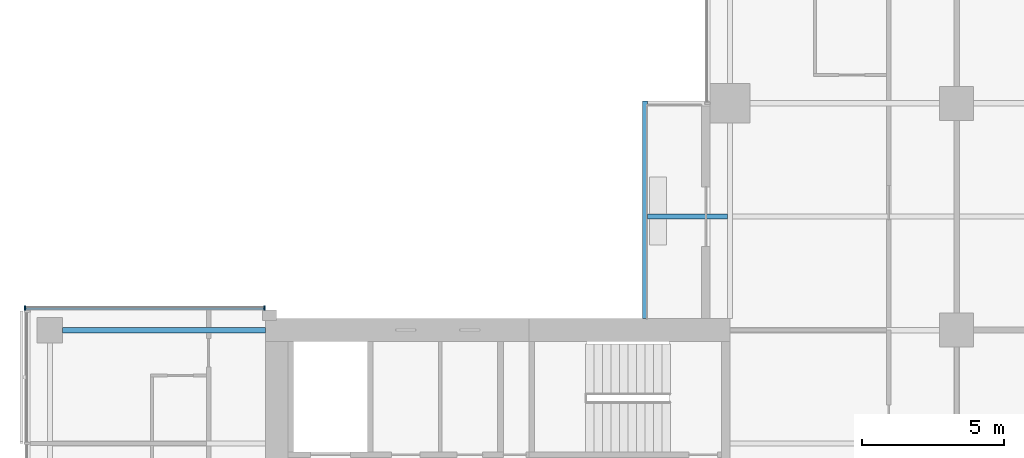
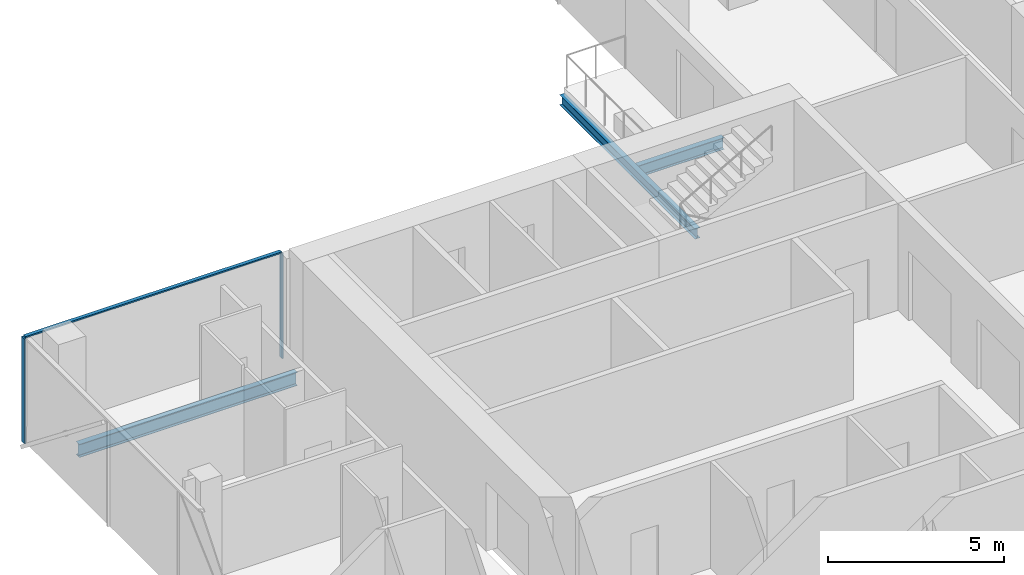
# One storey, part 8 of 27: 3 beams, 3 members, 1 element without a shape of its own.
"""IFC4 building model written with IfcOpenShell, lengths in metres."""

from ifc_helpers import new_model, si_unit, direction, frame, origin, origin_2d, place, context, subcontext, project, spatial, rectangle, i_section, extrude, material, material_profile, profile_set, type_object, element, aggregate, save


model = new_model("IFC4")

# Units and contexts
model_context = context("Model", 3, precision=1e-05, world=origin(), true_north=direction((0.0, 1.0)))
body_context = subcontext(model_context, "Body", "Model", "MODEL_VIEW")
ifc_project = project(units=[si_unit("LENGTHUNIT", "METRE"), si_unit("AREAUNIT", "SQUARE_METRE"), si_unit("VOLUMEUNIT", "CUBIC_METRE"), si_unit("PLANEANGLEUNIT", "RADIAN"), si_unit("MASSUNIT", "GRAM", prefix="KILO")], contexts=[model_context])

# Site, building, storey
site_placement = place(None, origin())
site = spatial("IfcSite", under=ifc_project, at=site_placement, CompositionType="ELEMENT")
building_placement = place(site_placement, origin())
building = spatial("IfcBuilding", under=site, at=building_placement, Name="Crosswind Convention Tower", CompositionType="ELEMENT")
storey_placement = place(building_placement, frame((0.0, 0.0, 72.0)))
storey = spatial("IfcBuildingStorey", under=building, at=storey_placement, Name="L12", CompositionType="ELEMENT", Elevation=72.0)

# Beams
ifc_material_1 = material(Name="Steel S355", Category="steel")
ifc_material_profile_1 = material_profile(ifc_material_1, i_section(OverallWidth=0.177734375, OverallDepth=0.406494140625, WebThickness=0.0078125, FlangeThickness=0.0126953125, FilletRadius=0.01025390625, at=origin_2d()), Name="UB 406x178x60")
ifc_profile_set_1 = profile_set([ifc_material_profile_1], Name="Steel S355")
beam_type_1 = type_object("IfcBeamType", Name="Balcony cantilever UB 406x178x60", PredefinedType="BEAM", material=ifc_profile_set_1)
beam_1_placement = place(storey_placement, frame((112.90478515625, 116.0, -0.483154296875), z_axis=(-1.0, 0.0, 0.0), x_axis=(0.0, -1.0, 0.0)))
element("IfcBeam", 1, at=beam_1_placement, inside=storey, type_object=beam_type_1, Name="B35 L12 balcony cantilever NW 4", PredefinedType="BEAM", context=body_context, shape_type="SweptSolid", body=[
    extrude(i_section(OverallWidth=0.177734375, OverallDepth=0.406494140625, WebThickness=0.0078125, FlangeThickness=0.0126953125, FilletRadius=0.01025390625, at=origin_2d()), origin(), (0.0, 0.0, 1.0), 2.8193359375),
])
ifc_material_profile_2 = material_profile(ifc_material_1, i_section(OverallWidth=0.1708984375, OverallDepth=0.35205078125, WebThickness=0.0068359375, FlangeThickness=0.009765625, FilletRadius=0.01025390625, at=origin_2d()), Name="UB 356x171x45")
ifc_profile_set_2 = profile_set([ifc_material_profile_2], Name="Steel S355")
beam_type_2 = type_object("IfcBeamType", Name="Balcony edge beam UB 356x171x45", PredefinedType="BEAM", material=ifc_profile_set_2)
beam_2_placement = place(storey_placement, frame((110.0, 112.39990234375, -0.4560546875), z_axis=(0.0, 1.0, 0.0), x_axis=(-1.0, 0.0, 0.0)))
element("IfcBeam", 2, at=beam_2_placement, inside=storey, type_object=beam_type_2, Name="B37 L12 balcony edge beam NW 6", PredefinedType="BEAM", context=body_context, shape_type="SweptSolid", body=[
    extrude(i_section(OverallWidth=0.1708984375, OverallDepth=0.35205078125, WebThickness=0.0068359375, FlangeThickness=0.009765625, FilletRadius=0.01025390625, at=origin_2d()), origin(), (0.0, 0.0, 1.0), 7.68896484375),
])
ifc_material_profile_3 = material_profile(ifc_material_1, i_section(OverallWidth=0.1904296875, OverallDepth=0.457275390625, WebThickness=0.009033203125, FlangeThickness=0.014404296875, FilletRadius=0.01025390625, at=origin_2d()), Name="UB 457x191x75")
ifc_profile_set_3 = profile_set([ifc_material_profile_3], Name="Steel S355")
beam_type_3 = type_object("IfcBeamType", Name="Edge beam UB 457x191x75", PredefinedType="SPANDREL", material=ifc_profile_set_3)
beam_3_placement = place(storey_placement, frame((89.449951171875, 112.0, -0.508544921875), z_axis=(1.0, 0.0, 0.0), x_axis=(0.0, 1.0, 0.0)))
element("IfcBeam", 3, at=beam_3_placement, inside=storey, type_object=beam_type_3, Name="B17 L12 edge beam 5", PredefinedType="SPANDREL", context=body_context, shape_type="SweptSolid", body=[
    extrude(i_section(OverallWidth=0.1904296875, OverallDepth=0.457275390625, WebThickness=0.009033203125, FlangeThickness=0.014404296875, FilletRadius=0.01025390625, at=origin_2d()), origin(), (0.0, 0.0, 1.0), 7.150146484375),
])

# Curtain wall, members
ifc_material_2 = material(Name="Aluminium unitised curtain wall", Category="aluminium")
curtain_wall_type = type_object("IfcCurtainWallType", Name="CORE END SLOT WALL 160", PredefinedType="USERDEFINED", material=ifc_material_2)
curtain_wall_placement = place(storey_placement, origin())
curtain_wall = element("IfcCurtainWall", 4, at=curtain_wall_placement, inside=storey, type_object=curtain_wall_type, Name="CW6 L12 W-N.2-1 slot", ObjectType="UNITISED", PredefinedType="USERDEFINED")
ifc_material_3 = material(Name="Aluminium mullion", Category="aluminium")
ifc_material_profile_4 = material_profile(ifc_material_3, rectangle(XDim=0.159912109375, YDim=0.050048828125, at=origin_2d()), Name="AL 160X50")
ifc_profile_set_4 = profile_set([ifc_material_profile_4], Name="Aluminium mullion")
member_type_1 = type_object("IfcMemberType", Name="MULLION 50X160", PredefinedType="MULLION", material=ifc_profile_set_4)
member_1_placement = place(storey_placement, frame((96.574951171875, 112.780029296875, -0.280029296875), z_axis=(0.0, 0.0, 1.0), x_axis=(0.0, 1.0, 0.0)))
member_1 = element("IfcMember", 5, at=member_1_placement, type_object=member_type_1, Name="CW6 mullion 1", PredefinedType="MULLION", context=body_context, shape_type="SweptSolid", body=[
    extrude(rectangle(XDim=0.159912109375, YDim=0.050048828125, at=origin_2d()), origin(), (0.0, 0.0, 1.0), 3.650146484375),
])
member_2_placement = place(storey_placement, frame((88.125, 112.780029296875, -0.280029296875), z_axis=(0.0, 0.0, 1.0), x_axis=(0.0, 1.0, 0.0)))
member_2 = element("IfcMember", 6, at=member_2_placement, type_object=member_type_1, Name="CW6 mullion 2", PredefinedType="MULLION", context=body_context, shape_type="SweptSolid", body=[
    extrude(rectangle(XDim=0.159912109375, YDim=0.050048828125, at=origin_2d()), origin(), (0.0, 0.0, 1.0), 3.650146484375),
])
ifc_material_4 = material(Name="Aluminium transom", Category="aluminium")
ifc_material_profile_5 = material_profile(ifc_material_4, rectangle(XDim=0.1201171875, YDim=0.050048828125, at=origin_2d()), Name="AL 120X50")
ifc_profile_set_5 = profile_set([ifc_material_profile_5], Name="Aluminium transom")
member_type_2 = type_object("IfcMemberType", Name="TRANSOM 50X120", PredefinedType="USERDEFINED", material=ifc_profile_set_5)
member_3_placement = place(storey_placement, frame((96.550048828125, 112.780029296875, 3.39501953125), z_axis=(-1.0, 0.0, 0.0), x_axis=(0.0, -1.0, 0.0)))
member_3 = element("IfcMember", 7, at=member_3_placement, type_object=member_type_2, Name="CW6 transom", ObjectType="TRANSOM", PredefinedType="USERDEFINED", context=body_context, shape_type="SweptSolid", body=[
    extrude(rectangle(XDim=0.1201171875, YDim=0.050048828125, at=origin_2d()), origin(), (0.0, 0.0, 1.0), 8.400146484375),
])
aggregate(curtain_wall, [member_1, member_2, member_3])

save(model, "model.ifc")
